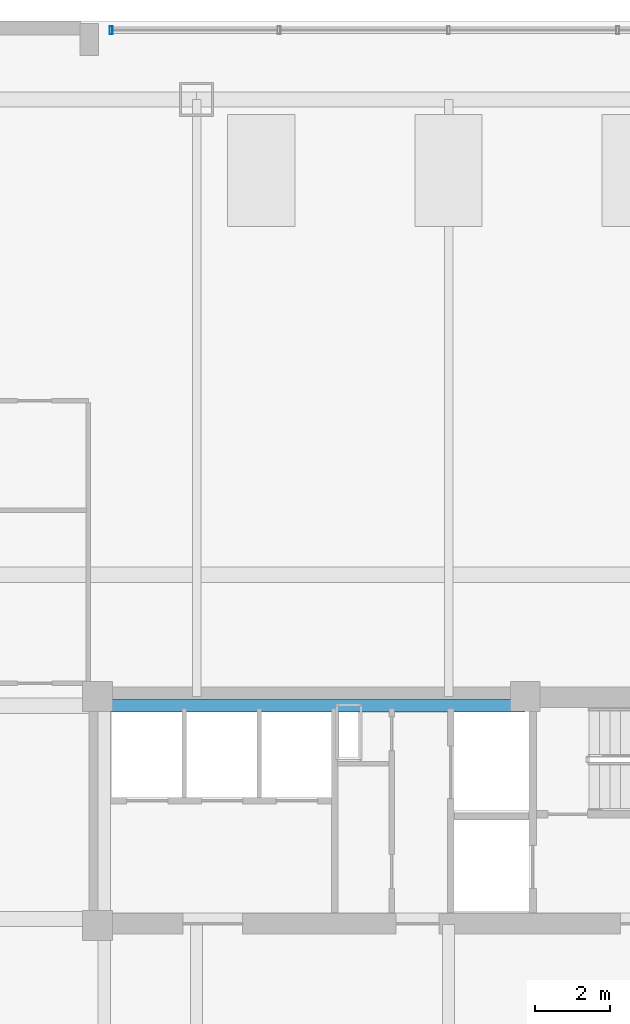
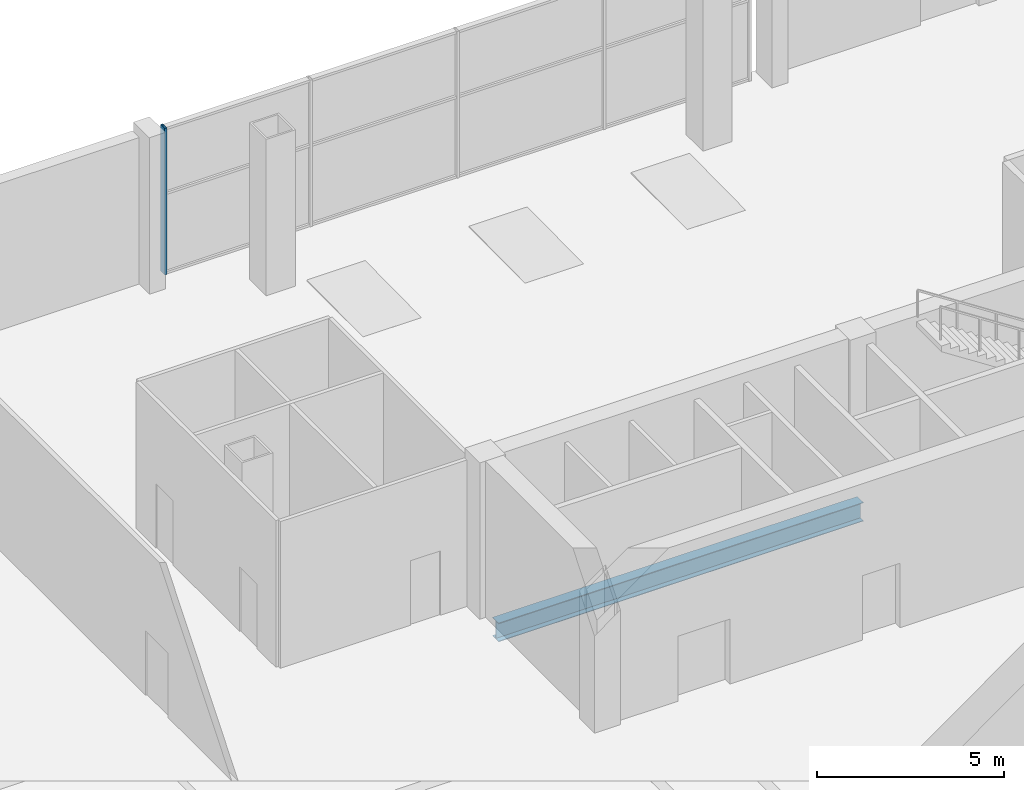
# One storey, part 8 of 21: 1 beam, 1 member, 1 element without a shape of its own.
"""IFC4 building model written with IfcOpenShell, lengths in metres."""

from ifc_helpers import new_model, si_unit, direction, frame, origin, origin_2d, place, context, subcontext, project, spatial, hollow_rectangle, i_section, extrude, material, layer, layer_set, material_profile, profile_set, type_object, element, aggregate, save


model = new_model("IFC4")

# Units and contexts
model_context = context("Model", 3, precision=1e-05, world=origin(), true_north=direction((0.0, 1.0)))
body_context = subcontext(model_context, "Body", "Model", "MODEL_VIEW")
ifc_project = project(units=[si_unit("LENGTHUNIT", "METRE"), si_unit("AREAUNIT", "SQUARE_METRE"), si_unit("VOLUMEUNIT", "CUBIC_METRE"), si_unit("PLANEANGLEUNIT", "RADIAN"), si_unit("MASSUNIT", "GRAM", prefix="KILO")], contexts=[model_context])

# Site, building, storey
site_placement = place(None, origin())
site = spatial("IfcSite", under=ifc_project, at=site_placement, CompositionType="ELEMENT")
building_placement = place(site_placement, origin())
building = spatial("IfcBuilding", under=site, at=building_placement, Name="Qhalaya Broadcast Tower", CompositionType="ELEMENT")
storey_placement = place(building_placement, origin())
storey = spatial("IfcBuildingStorey", under=building, at=storey_placement, Name="L00", CompositionType="ELEMENT", Elevation=0.0)

# Beam
ifc_material_1 = material(Name="Structural Steel ASTM A992 Grade 50", Category="steel")
ifc_material_profile_1 = material_profile(ifc_material_1, i_section(OverallWidth=0.323974609375, OverallDepth=0.612060546875, WebThickness=0.0126953125, FlangeThickness=0.01904296875, at=origin_2d()), Name="W24X104")
ifc_profile_set_1 = profile_set([ifc_material_profile_1], Name="Structural Steel ASTM A992 Grade 50")
beam_type = type_object("IfcBeamType", Name="Core Frame Tie Beam B04", PredefinedType="BEAM", material=ifc_profile_set_1)
beam_placement = place(storey_placement, frame((-9.199951171875, 9.699951171875, -0.6259765625), z_axis=(1.0, 0.0, 0.0), x_axis=(0.0, 1.0, 0.0)))
element("IfcBeam", 1, at=beam_placement, inside=storey, type_object=beam_type, Name="L00 B04 L00-CCN3", PredefinedType="BEAM", context=body_context, shape_type="SweptSolid", body=[
    extrude(i_section(OverallWidth=0.323974609375, OverallDepth=0.612060546875, WebThickness=0.0126953125, FlangeThickness=0.01904296875, at=origin_2d()), origin(), (0.0, 0.0, 1.0), 11.25),
])

# Curtain wall, member
ifc_material_2 = material(Name="Solar-Control Low-E Triple Glazing", Category="glass")
ifc_layer = layer(ifc_material_2, 0.219970703125, Name="Solar-Control Low-E Triple Glazing")
ifc_layer_set = layer_set([ifc_layer], Name="Solar-Control Low-E Triple Glazing")
curtain_wall_type = type_object("IfcCurtainWallType", Name="Podium Concourse Triple-Height Glazed Portal CW-01", PredefinedType="NOTDEFINED", material=ifc_layer_set)
curtain_wall_placement = place(storey_placement, origin())
curtain_wall = element("IfcCurtainWall", 2, at=curtain_wall_placement, inside=storey, type_object=curtain_wall_type, Name="L00 Unitised Curtain Wall L00-CW01-N", PredefinedType="NOTDEFINED")
ifc_material_3 = material(Name="Anodised Aluminium 6063-T6", Category="aluminium")
ifc_material_profile_2 = material_profile(ifc_material_3, hollow_rectangle(XDim=0.074951171875, YDim=0.219970703125, WallThickness=0.00390625, at=origin_2d()), Name="ALU-MUL 75x220x4")
ifc_profile_set_2 = profile_set([ifc_material_profile_2], Name="Anodised Aluminium 6063-T6")
member_type = type_object("IfcMemberType", Name="Unitised Curtain-Wall Mullion M01", PredefinedType="MULLION", material=ifc_profile_set_2)
member_placement = place(storey_placement, frame((-9.012451171875, 27.75, 0.0), z_axis=(0.0, 0.0, 1.0), x_axis=(-1.0, 0.0, 0.0)))
member = element("IfcMember", 3, at=member_placement, type_object=member_type, Name="CW-01 mullion 5", PredefinedType="MULLION", context=body_context, shape_type="SweptSolid", body=[
    extrude(hollow_rectangle(XDim=0.074951171875, YDim=0.219970703125, WallThickness=0.00390625, at=origin_2d()), origin(), (0.0, 0.0, 1.0), 4.780029296875),
])
aggregate(curtain_wall, [member])

save(model, "model.ifc")
